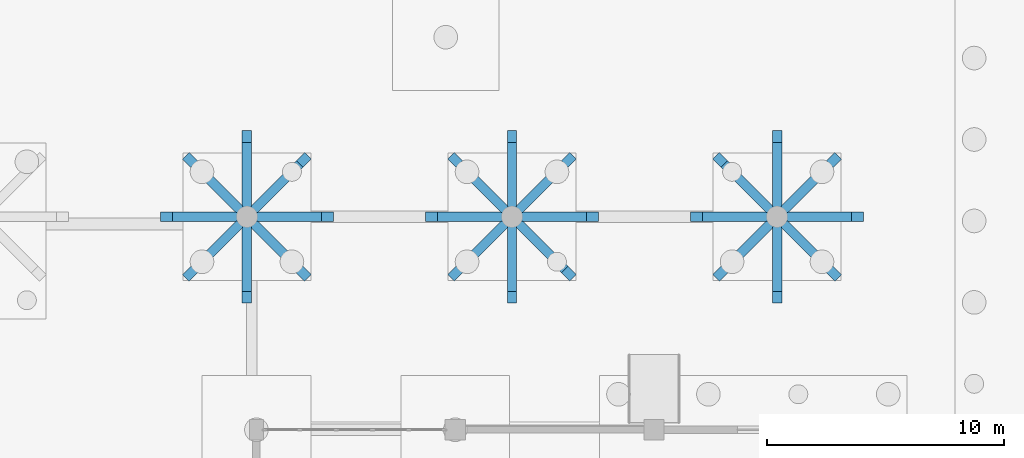
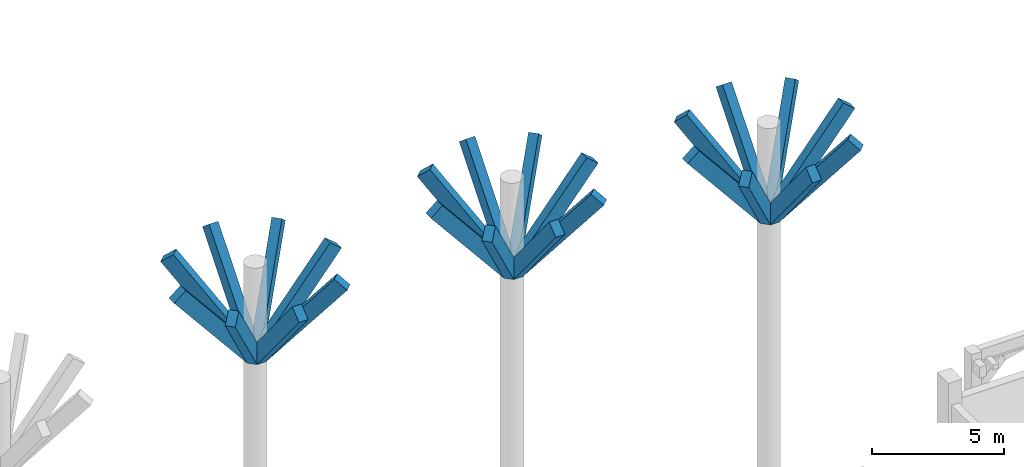
# One storey, part 43 of 98: 24 members.
"""IFC4 building model written with IfcOpenShell, lengths in metres."""

from ifc_helpers import new_model, si_unit, direction, frame, origin, origin_2d, place, context, subcontext, project, spatial, rectangle, extrude, material, material_profile, profile_set, type_object, element, save


model = new_model("IFC4")

# Units and contexts
model_context = context("Model", 3, precision=1e-05, world=origin(), true_north=direction((0.0, 1.0)))
body_context = subcontext(model_context, "Body", "Model", "MODEL_VIEW")
ifc_project = project(units=[si_unit("LENGTHUNIT", "METRE"), si_unit("AREAUNIT", "SQUARE_METRE"), si_unit("VOLUMEUNIT", "CUBIC_METRE"), si_unit("PLANEANGLEUNIT", "RADIAN"), si_unit("MASSUNIT", "GRAM", prefix="KILO")], contexts=[model_context])

# Site, building, storey
site_placement = place(None, origin())
site = spatial("IfcSite", under=ifc_project, at=site_placement, CompositionType="ELEMENT")
building_placement = place(site_placement, origin())
building = spatial("IfcBuilding", under=site, at=building_placement, Name="Xazarin Passage Department Store", CompositionType="ELEMENT")
storey_placement = place(building_placement, origin())
storey = spatial("IfcBuildingStorey", under=building, at=storey_placement, Name="L00", CompositionType="ELEMENT", Elevation=0.0)

# Members
ifc_material = material(Name="Concrete C40/50", Category="concrete")
ifc_material_profile = material_profile(ifc_material, rectangle(XDim=0.39990234375, YDim=0.64990234375, at=origin_2d()), Name="RC 400x650")
ifc_profile_set = profile_set([ifc_material_profile], Name="Concrete C40/50")
member_type = type_object("IfcMemberType", Name="STR-MEM-UMB400", PredefinedType="BRACE", material=ifc_profile_set)
for number, where, z_axis, x_axis, name in (
    (1, (67.820068359375, 102.199951171875, 23.3798828125), (0.634369600905, 0.0, 0.773029889103), (0.0, 1.0, 0.0), "Umbrella UM2 Flared Sculptural Capital Strut E"),
    (2, (67.3798828125, 102.199951171875, 23.3798828125), (-0.634369600905, 0.0, 0.773029889103), (0.0, -1.0, 0.0), "Umbrella UM2 Flared Sculptural Capital Strut W"),
):
    element("IfcMember", number, at=place(storey_placement, frame(where, z_axis=z_axis, x_axis=x_axis)), inside=storey, type_object=member_type, Name=name, PredefinedType="BRACE", context=body_context, shape_type="SweptSolid", body=[
        extrude(rectangle(XDim=0.39990234375, YDim=0.64990234375, at=origin_2d()), origin(), (0.0, 0.0, 1.0), 5.0126953125),
    ])
member_1_placement = place(storey_placement, frame((67.60009765625, 102.419921875, 23.3798828125), z_axis=(0.0, 0.63439870386, 0.773006005501), x_axis=(-1.0, 0.0, 0.0)))
element("IfcMember", 3, at=member_1_placement, inside=storey, type_object=member_type, Name="Umbrella UM2 Flared Sculptural Capital Strut N", PredefinedType="BRACE", context=body_context, shape_type="SweptSolid", body=[
    extrude(rectangle(XDim=0.39990234375, YDim=0.64990234375, at=origin_2d()), origin(), (0.0, 0.0, 1.0), 5.012939453125),
])
for number, where, z_axis, x_axis, name in (
    (4, (67.60009765625, 101.97998046875, 23.3798828125), (0.0, -0.634369600905, 0.773029889103), (1.0, 0.0, 0.0), "Umbrella UM2 Flared Sculptural Capital Strut S"),
    (5, (67.755615234375, 102.355712890625, 23.3798828125), (0.448565130781, 0.448565130781, 0.77303211246), (-0.707106781187, 0.707106781187, 0.0), "Umbrella UM2 Flared Sculptural Capital Strut NE"),
    (6, (67.4443359375, 102.355712890625, 23.3798828125), (-0.448565130781, 0.448565130781, 0.77303211246), (-0.707106781187, -0.707106781187, 0.0), "Umbrella UM2 Flared Sculptural Capital Strut NW"),
    (7, (67.755615234375, 102.04443359375, 23.3798828125), (0.448565130781, -0.448565130781, 0.77303211246), (0.707106781187, 0.707106781187, 0.0), "Umbrella UM2 Flared Sculptural Capital Strut SE"),
    (8, (67.4443359375, 102.04443359375, 23.3798828125), (-0.448565130781, -0.448565130781, 0.77303211246), (0.707106781187, -0.707106781187, 0.0), "Umbrella UM2 Flared Sculptural Capital Strut SW"),
    (9, (79.02001953125, 102.199951171875, 23.3798828125), (0.634369600905, 0.0, 0.773029889103), (0.0, 1.0, 0.0), "Umbrella UM3 Flared Sculptural Capital Strut E"),
):
    element("IfcMember", number, at=place(storey_placement, frame(where, z_axis=z_axis, x_axis=x_axis)), inside=storey, type_object=member_type, Name=name, PredefinedType="BRACE", context=body_context, shape_type="SweptSolid", body=[
        extrude(rectangle(XDim=0.39990234375, YDim=0.64990234375, at=origin_2d()), origin(), (0.0, 0.0, 1.0), 5.0126953125),
    ])
for number, where, z_axis, x_axis, name in (
    (10, (78.580078125, 102.199951171875, 23.3798828125), (-0.63439870386, 0.0, 0.773006005501), (0.0, -1.0, 0.0), "Umbrella UM3 Flared Sculptural Capital Strut W"),
    (11, (78.800048828125, 102.419921875, 23.3798828125), (0.0, 0.63439870386, 0.773006005501), (-1.0, 0.0, 0.0), "Umbrella UM3 Flared Sculptural Capital Strut N"),
):
    element("IfcMember", number, at=place(storey_placement, frame(where, z_axis=z_axis, x_axis=x_axis)), inside=storey, type_object=member_type, Name=name, PredefinedType="BRACE", context=body_context, shape_type="SweptSolid", body=[
        extrude(rectangle(XDim=0.39990234375, YDim=0.64990234375, at=origin_2d()), origin(), (0.0, 0.0, 1.0), 5.012939453125),
    ])
for number, where, z_axis, x_axis, name in (
    (12, (78.800048828125, 101.97998046875, 23.3798828125), (0.0, -0.634369600905, 0.773029889103), (1.0, 0.0, 0.0), "Umbrella UM3 Flared Sculptural Capital Strut S"),
    (13, (78.95556640625, 102.355712890625, 23.3798828125), (0.448565130781, 0.448565130781, 0.77303211246), (-0.707106781187, 0.707106781187, 0.0), "Umbrella UM3 Flared Sculptural Capital Strut NE"),
    (14, (78.644287109375, 102.355712890625, 23.3798828125), (-0.448565130781, 0.448565130781, 0.77303211246), (-0.707106781187, -0.707106781187, 0.0), "Umbrella UM3 Flared Sculptural Capital Strut NW"),
    (15, (78.95556640625, 102.04443359375, 23.3798828125), (0.448565130781, -0.448565130781, 0.77303211246), (0.707106781187, 0.707106781187, 0.0), "Umbrella UM3 Flared Sculptural Capital Strut SE"),
    (16, (78.644287109375, 102.04443359375, 23.3798828125), (-0.448565130781, -0.448565130781, 0.77303211246), (0.707106781187, -0.707106781187, 0.0), "Umbrella UM3 Flared Sculptural Capital Strut SW"),
    (17, (90.219970703125, 102.199951171875, 21.97998046875), (0.634369600905, 0.0, 0.773029889103), (0.0, 1.0, 0.0), "Umbrella UM4 Flared Sculptural Capital Strut E"),
    (18, (89.780029296875, 102.199951171875, 21.97998046875), (-0.634369600905, 0.0, 0.773029889103), (0.0, -1.0, 0.0), "Umbrella UM4 Flared Sculptural Capital Strut W"),
):
    element("IfcMember", number, at=place(storey_placement, frame(where, z_axis=z_axis, x_axis=x_axis)), inside=storey, type_object=member_type, Name=name, PredefinedType="BRACE", context=body_context, shape_type="SweptSolid", body=[
        extrude(rectangle(XDim=0.39990234375, YDim=0.64990234375, at=origin_2d()), origin(), (0.0, 0.0, 1.0), 5.0126953125),
    ])
member_2_placement = place(storey_placement, frame((90.0, 102.419921875, 21.97998046875), z_axis=(0.0, 0.63439870386, 0.773006005501), x_axis=(-1.0, 0.0, 0.0)))
element("IfcMember", 19, at=member_2_placement, inside=storey, type_object=member_type, Name="Umbrella UM4 Flared Sculptural Capital Strut N", PredefinedType="BRACE", context=body_context, shape_type="SweptSolid", body=[
    extrude(rectangle(XDim=0.39990234375, YDim=0.64990234375, at=origin_2d()), origin(), (0.0, 0.0, 1.0), 5.012939453125),
])
member_3_placement = place(storey_placement, frame((90.0, 101.97998046875, 21.97998046875), z_axis=(0.0, -0.634369600905, 0.773029889103), x_axis=(1.0, 0.0, 0.0)))
element("IfcMember", 20, at=member_3_placement, inside=storey, type_object=member_type, Name="Umbrella UM4 Flared Sculptural Capital Strut S", PredefinedType="BRACE", context=body_context, shape_type="SweptSolid", body=[
    extrude(rectangle(XDim=0.39990234375, YDim=0.64990234375, at=origin_2d()), origin(), (0.0, 0.0, 1.0), 5.0126953125),
])
for number, where, z_axis, x_axis, name in (
    (21, (90.155517578125, 102.355712890625, 21.97998046875), (0.448604033853, 0.448555330777, 0.77301522368), (-0.707068394238, 0.707145166051, 0.0), "Umbrella UM4 Flared Sculptural Capital Strut NE"),
    (22, (89.844482421875, 102.355712890625, 21.97998046875), (-0.448604033853, 0.448555330777, 0.77301522368), (-0.707068394238, -0.707145166051, 0.0), "Umbrella UM4 Flared Sculptural Capital Strut NW"),
    (23, (90.155517578125, 102.04443359375, 21.97998046875), (0.448604033853, -0.448555330777, 0.77301522368), (0.707068394238, 0.707145166051, 0.0), "Umbrella UM4 Flared Sculptural Capital Strut SE"),
    (24, (89.844482421875, 102.04443359375, 21.97998046875), (-0.448604033853, -0.448555330777, 0.77301522368), (0.707068394238, -0.707145166051, 0.0), "Umbrella UM4 Flared Sculptural Capital Strut SW"),
):
    element("IfcMember", number, at=place(storey_placement, frame(where, z_axis=z_axis, x_axis=x_axis)), inside=storey, type_object=member_type, Name=name, PredefinedType="BRACE", context=body_context, shape_type="SweptSolid", body=[
        extrude(rectangle(XDim=0.39990234375, YDim=0.64990234375, at=origin_2d()), origin(), (0.0, 0.0, 1.0), 5.012939453125),
    ])

save(model, "model.ifc")
